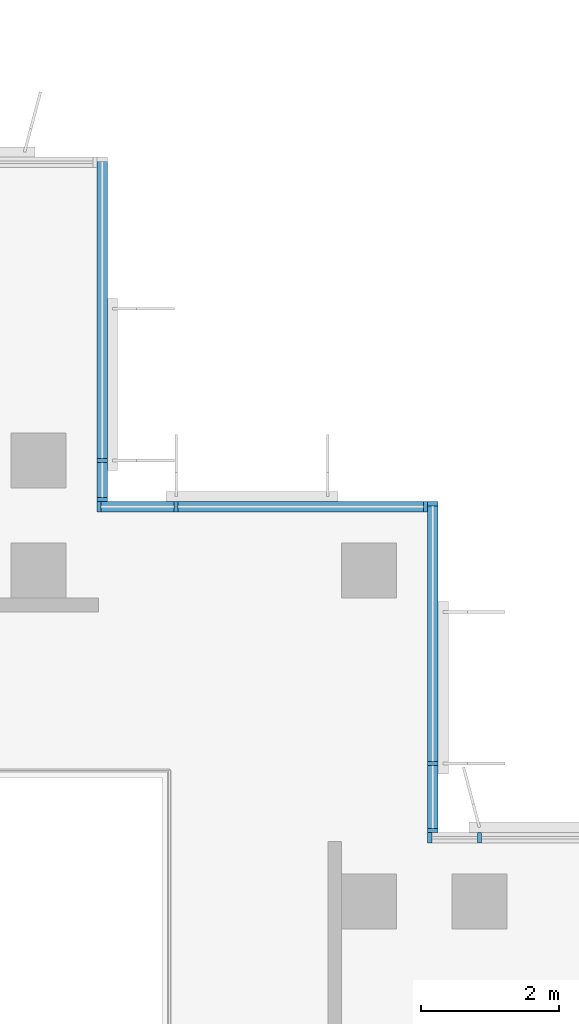
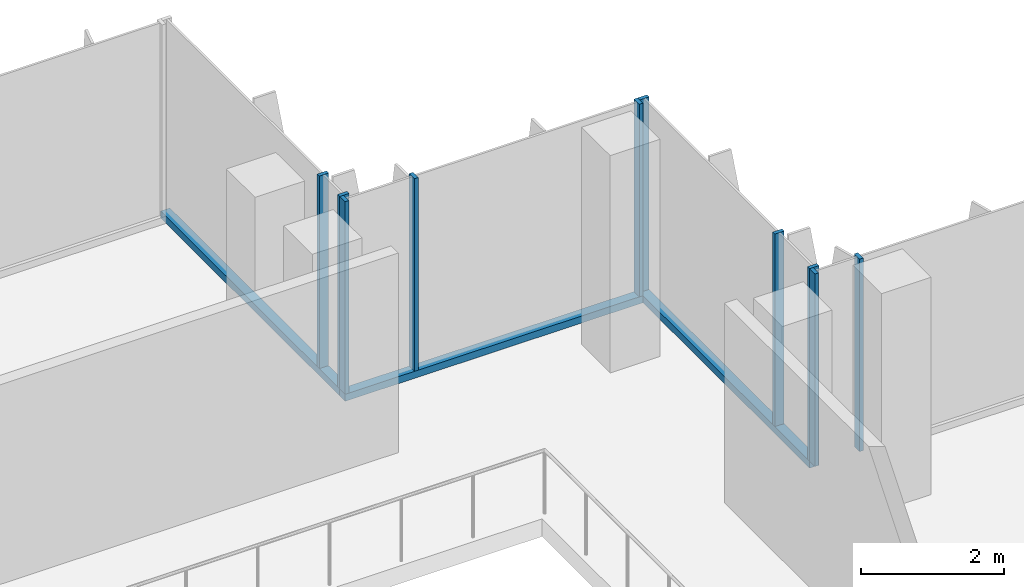
# One storey, part 2 of 14: 13 members, 4 elements without a shape of their own.
"""IFC4 building model written with IfcOpenShell, lengths in metres."""

from ifc_helpers import new_model, si_unit, direction, frame, origin, origin_2d, place, context, subcontext, project, spatial, rectangle, extrude, source, transform, mapped, material, material_profile, profile_set, type_object, element, aggregate, save


model = new_model("IFC4")

# Units and contexts
model_context = context("Model", 3, precision=1e-05, world=origin(), true_north=direction((0.0, 1.0)))
body_context = subcontext(model_context, "Body", "Model", "MODEL_VIEW")
ifc_project = project(units=[si_unit("LENGTHUNIT", "METRE"), si_unit("AREAUNIT", "SQUARE_METRE"), si_unit("VOLUMEUNIT", "CUBIC_METRE"), si_unit("PLANEANGLEUNIT", "RADIAN"), si_unit("MASSUNIT", "GRAM", prefix="KILO")], contexts=[model_context])

# Site, building, storey
site_placement = place(None, origin())
site = spatial("IfcSite", under=ifc_project, at=site_placement, CompositionType="ELEMENT")
building_placement = place(site_placement, origin())
building = spatial("IfcBuilding", under=site, at=building_placement, Name="Kemantara Hotel Tower", CompositionType="ELEMENT")
storey_placement = place(building_placement, frame((0.0, 0.0, 245.0)))
storey = spatial("IfcBuildingStorey", under=building, at=storey_placement, Name="L61", CompositionType="ELEMENT", Elevation=245.0)

# Curtain wall, member
ifc_material_1 = material(Name="Low-E tinted double insulated glass 36 mm", Category="glass")
curtain_wall_type = type_object("IfcCurtainWallType", Name="TOWER CURTAIN WALL, FRONT FACES", PredefinedType="USERDEFINED", material=ifc_material_1)
curtain_wall_1_placement = place(storey_placement, origin())
curtain_wall_1 = element("IfcCurtainWall", 1, at=curtain_wall_1_placement, inside=storey, type_object=curtain_wall_type, Name="CW4 L61 T4P-R00-1", ObjectType="TOWER CURTAIN WALL, FRONT FACES", PredefinedType="USERDEFINED")
ifc_material_2 = material(Name="Aluminium 6063-T6 bronze anodised", Category="aluminium")
ifc_material_profile_1 = material_profile(ifc_material_2, rectangle(XDim=0.14990234375, YDim=0.1201171875, at=origin_2d()), Name="TOWER CURTAIN WALL, FRONT FACES TRANSOM")
ifc_profile_set_1 = profile_set([ifc_material_profile_1], Name="Aluminium 6063-T6 bronze anodised")
member_type_1 = type_object("IfcMemberType", Name="TOWER CURTAIN WALL, FRONT FACES TRANSOM", PredefinedType="USERDEFINED", material=ifc_profile_set_1)
member_1_placement = place(storey_placement, frame((21.925048828125, 26.800048828125, 0.06005859375), z_axis=(0.0, 1.0, 0.0), x_axis=(-1.0, 0.0, 0.0)))
member_1 = element("IfcMember", 2, at=member_1_placement, type_object=member_type_1, Name="CW4 sill transom T4P-R00-1", ObjectType="TRANSOM", PredefinedType="USERDEFINED", context=body_context, shape_type="SweptSolid", body=[
    extrude(rectangle(XDim=0.14990234375, YDim=0.1201171875, at=origin_2d()), origin(), (0.0, 0.0, 1.0), 5.0),
])

curtain_wall_2_placement = place(storey_placement, origin())
curtain_wall_2 = element("IfcCurtainWall", 3, at=curtain_wall_2_placement, inside=storey, type_object=curtain_wall_type, Name="CW4 L61 T4P-R10-1", ObjectType="TOWER CURTAIN WALL, FRONT FACES", PredefinedType="USERDEFINED")
member_2_placement = place(storey_placement, frame((26.72509765625, 22.0, 0.06005859375), z_axis=(0.0, 1.0, 0.0), x_axis=(-1.0, 0.0, 0.0)))
member_2 = element("IfcMember", 4, at=member_2_placement, type_object=member_type_1, Name="CW4 sill transom T4P-R10-1", ObjectType="TRANSOM", PredefinedType="USERDEFINED", context=body_context, shape_type="SweptSolid", body=[
    extrude(rectangle(XDim=0.14990234375, YDim=0.1201171875, at=origin_2d()), origin(), (0.0, 0.0, 1.0), 4.800048828125),
])

curtain_wall_3_placement = place(storey_placement, origin())
curtain_wall_3 = element("IfcCurtainWall", 5, at=curtain_wall_3_placement, inside=storey, type_object=curtain_wall_type, Name="CW4 L61 T4P-R11-1", ObjectType="TOWER CURTAIN WALL, FRONT FACES", PredefinedType="USERDEFINED")
member_3_placement = place(storey_placement, frame((26.64990234375, 26.72509765625, 0.06005859375), z_axis=(-1.0, 0.0, 0.0), x_axis=(0.0, -1.0, 0.0)))
member_3 = element("IfcMember", 6, at=member_3_placement, type_object=member_type_1, Name="CW4 sill transom T4P-R11-1", ObjectType="TRANSOM", PredefinedType="USERDEFINED", context=body_context, shape_type="SweptSolid", body=[
    extrude(rectangle(XDim=0.14990234375, YDim=0.1201171875, at=origin_2d()), origin(), (0.0, 0.0, 1.0), 4.7998046875),
])

# Member
ifc_material_profile_2 = material_profile(ifc_material_2, rectangle(XDim=0.14990234375, YDim=0.06005859375, at=origin_2d()), Name="TOWER CURTAIN WALL, FRONT FACES MULLION")
ifc_profile_set_2 = profile_set([ifc_material_profile_2], Name="Aluminium 6063-T6 bronze anodised")
member_type_2 = type_object("IfcMemberType", Name="TOWER CURTAIN WALL, FRONT FACES MULLION", PredefinedType="MULLION", material=ifc_profile_set_2)
shared_shape = source(origin(), body_context, "Body", "SweptSolid", [
    extrude(rectangle(XDim=0.14990234375, YDim=0.06005859375, at=origin_2d()), origin(), (0.0, 0.0, 1.0), 3.27978515625),
])
member_4_placement = place(storey_placement, frame((21.925048828125, 26.830078125, 0.1201171875), z_axis=(0.0, 0.0, 1.0), x_axis=(-1.0, 0.0, 0.0)))
member_4 = element("IfcMember", 7, at=member_4_placement, type_object=member_type_2, Name="CW4 mullion T4P-R00-1.1", PredefinedType="MULLION", context=body_context, shape_type="MappedRepresentation", body=[
    mapped(shared_shape, transform((0.0, 0.0, 0.0))),
])

member_5_placement = place(storey_placement, frame((21.925048828125, 27.39990234375, 0.1201171875), z_axis=(0.0, 0.0, 1.0), x_axis=(-1.0, 0.0, 0.0)))
member_5 = element("IfcMember", 8, at=member_5_placement, type_object=member_type_2, Name="CW4 mullion T4P-R00-1.2", PredefinedType="MULLION", context=body_context, shape_type="MappedRepresentation", body=[
    mapped(shared_shape, transform((0.0, 0.0, 0.0))),
])

aggregate(curtain_wall_1, [member_1, member_4, member_5])

# Curtain wall, members
curtain_wall_4_placement = place(storey_placement, origin())
curtain_wall_4 = element("IfcCurtainWall", 9, at=curtain_wall_4_placement, inside=storey, type_object=curtain_wall_type, Name="CW4 L61 T4P-R09-1", ObjectType="TOWER CURTAIN WALL, FRONT FACES", PredefinedType="USERDEFINED")
member_6_placement = place(storey_placement, frame((27.39990234375, 21.925048828125, 0.1201171875), z_axis=(0.0, 0.0, 1.0), x_axis=(0.0, -1.0, 0.0)))
member_6 = element("IfcMember", 10, at=member_6_placement, type_object=member_type_2, Name="CW4 mullion T4P-R09-1.5", PredefinedType="MULLION", context=body_context, shape_type="MappedRepresentation", body=[
    mapped(shared_shape, transform((0.0, 0.0, 0.0))),
])
member_7_placement = place(storey_placement, frame((26.679931640625, 21.925048828125, 0.1201171875), z_axis=(0.0, 0.0, 1.0), x_axis=(0.0, -1.0, 0.0)))
member_7 = element("IfcMember", 11, at=member_7_placement, type_object=member_type_2, Name="CW4 mullion T4P-R09-1.6", PredefinedType="MULLION", context=body_context, shape_type="MappedRepresentation", body=[
    mapped(shared_shape, transform((0.0, 0.0, 0.0))),
])
aggregate(curtain_wall_4, [member_6, member_7])

# Member
member_8_placement = place(storey_placement, frame((26.72509765625, 22.030029296875, 0.1201171875), z_axis=(0.0, 0.0, 1.0), x_axis=(-1.0, 0.0, 0.0)))
member_8 = element("IfcMember", 12, at=member_8_placement, type_object=member_type_2, Name="CW4 mullion T4P-R10-1.1", PredefinedType="MULLION", context=body_context, shape_type="MappedRepresentation", body=[
    mapped(shared_shape, transform((0.0, 0.0, 0.0))),
])

member_9_placement = place(storey_placement, frame((26.72509765625, 23.0, 0.1201171875), z_axis=(0.0, 0.0, 1.0), x_axis=(-1.0, 0.0, 0.0)))
member_9 = element("IfcMember", 13, at=member_9_placement, type_object=member_type_2, Name="CW4 mullion T4P-R10-1.2", PredefinedType="MULLION", context=body_context, shape_type="MappedRepresentation", body=[
    mapped(shared_shape, transform((0.0, 0.0, 0.0))),
])

member_10_placement = place(storey_placement, frame((26.72509765625, 26.77001953125, 0.1201171875), z_axis=(0.0, 0.0, 1.0), x_axis=(-1.0, 0.0, 0.0)))
member_10 = element("IfcMember", 14, at=member_10_placement, type_object=member_type_2, Name="CW4 mullion T4P-R10-1.3", PredefinedType="MULLION", context=body_context, shape_type="MappedRepresentation", body=[
    mapped(shared_shape, transform((0.0, 0.0, 0.0))),
])

aggregate(curtain_wall_2, [member_2, member_8, member_9, member_10])

member_11_placement = place(storey_placement, frame((26.6201171875, 26.72509765625, 0.1201171875), z_axis=(0.0, 0.0, 1.0), x_axis=(0.0, -1.0, 0.0)))
member_11 = element("IfcMember", 15, at=member_11_placement, type_object=member_type_2, Name="CW4 mullion T4P-R11-1.1", PredefinedType="MULLION", context=body_context, shape_type="MappedRepresentation", body=[
    mapped(shared_shape, transform((0.0, 0.0, 0.0))),
])

member_12_placement = place(storey_placement, frame((23.0, 26.72509765625, 0.1201171875), z_axis=(0.0, 0.0, 1.0), x_axis=(0.0, -1.0, 0.0)))
member_12 = element("IfcMember", 16, at=member_12_placement, type_object=member_type_2, Name="CW4 mullion T4P-R11-1.2", PredefinedType="MULLION", context=body_context, shape_type="MappedRepresentation", body=[
    mapped(shared_shape, transform((0.0, 0.0, 0.0))),
])

member_13_placement = place(storey_placement, frame((21.8798828125, 26.72509765625, 0.1201171875), z_axis=(0.0, 0.0, 1.0), x_axis=(0.0, -1.0, 0.0)))
member_13 = element("IfcMember", 17, at=member_13_placement, type_object=member_type_2, Name="CW4 mullion T4P-R11-1.3", PredefinedType="MULLION", context=body_context, shape_type="MappedRepresentation", body=[
    mapped(shared_shape, transform((0.0, 0.0, 0.0))),
])

aggregate(curtain_wall_3, [member_3, member_11, member_12, member_13])

save(model, "model.ifc")
